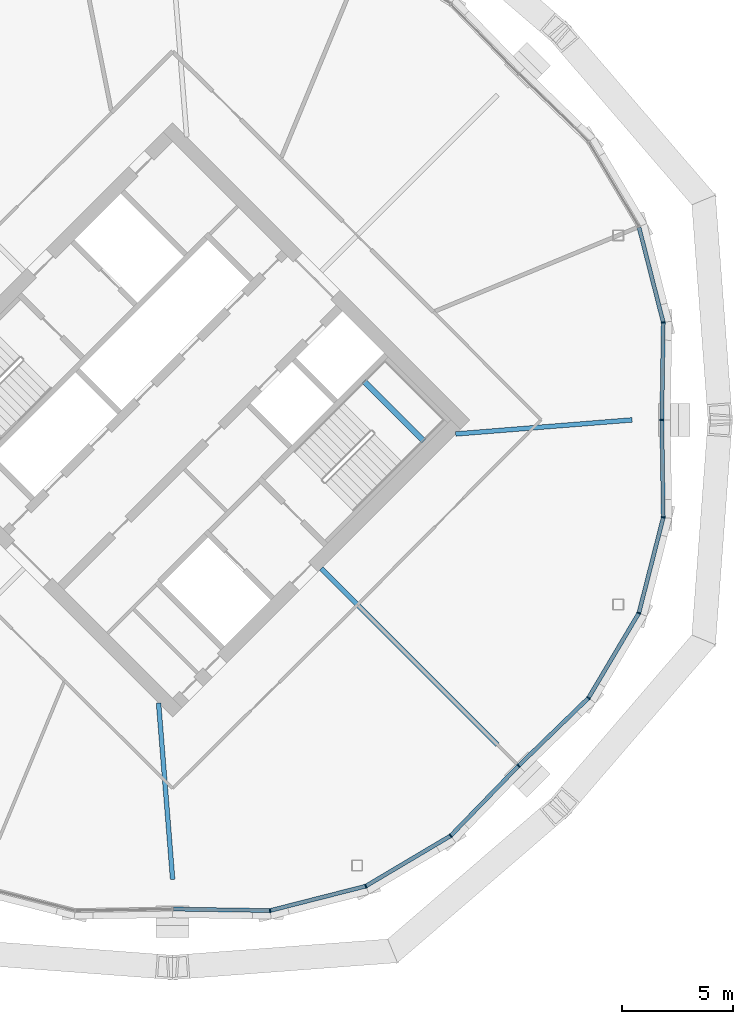
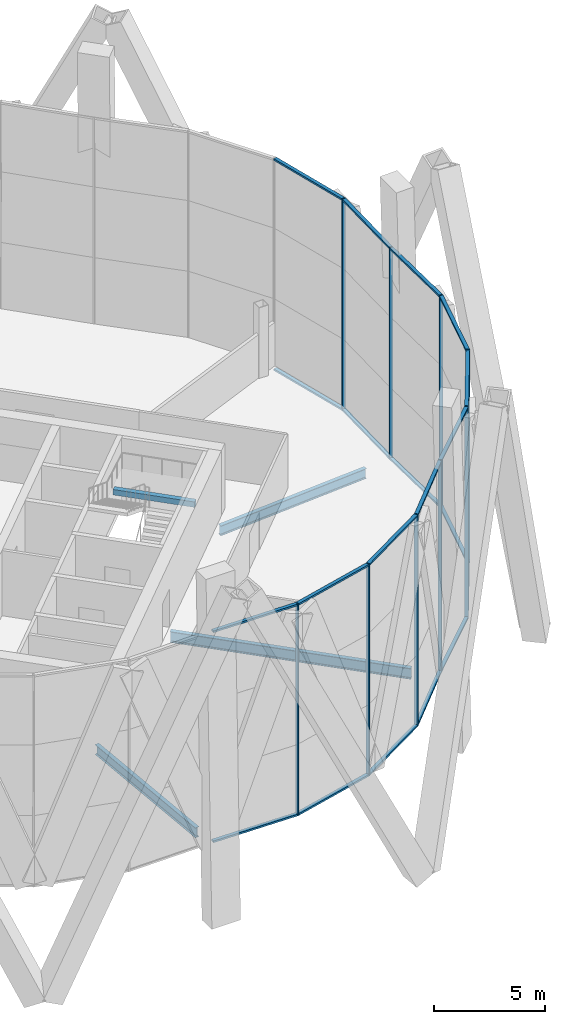
# One storey, part 9 of 23: 29 members, 4 beams, 3 elements without a shape of their own.
"""IFC4 building model written with IfcOpenShell, lengths in metres."""

from ifc_helpers import new_model, si_unit, direction, frame, origin, origin_2d, place, context, subcontext, project, spatial, rectangle, i_section, extrude, material, material_profile, profile_set, type_object, element, aggregate, save


model = new_model("IFC4")

# Units and contexts
model_context = context("Model", 3, precision=1e-05, world=origin(), true_north=direction((0.0, 1.0)))
body_context = subcontext(model_context, "Body", "Model", "MODEL_VIEW")
ifc_project = project(units=[si_unit("LENGTHUNIT", "METRE"), si_unit("AREAUNIT", "SQUARE_METRE"), si_unit("VOLUMEUNIT", "CUBIC_METRE"), si_unit("PLANEANGLEUNIT", "RADIAN"), si_unit("MASSUNIT", "GRAM", prefix="KILO")], contexts=[model_context])

# Site, building, storey
site_placement = place(None, origin())
site = spatial("IfcSite", under=ifc_project, at=site_placement, CompositionType="ELEMENT")
building_placement = place(site_placement, origin())
building = spatial("IfcBuilding", under=site, at=building_placement, Name="Ogive Gate Towers", CompositionType="ELEMENT")
storey_placement = place(building_placement, frame((0.0, 0.0, 165.60009765625)))
storey = spatial("IfcBuildingStorey", under=building, at=storey_placement, Name="L39", CompositionType="ELEMENT", Elevation=165.60009765625)

# Beams
ifc_material_1 = material(Name="Concrete C40/50", Category="concrete")
ifc_material_profile_1 = material_profile(ifc_material_1, rectangle(XDim=0.25, YDim=0.300048828125, at=origin_2d()), Name="RC 250x300")
ifc_profile_set_1 = profile_set([ifc_material_profile_1], Name="Concrete C40/50")
beam_type_1 = type_object("IfcBeamType", Name="Landing bearer RC 250x300", PredefinedType="BEAM", material=ifc_profile_set_1)
beam_1_placement = place(storey_placement, frame((47.349609375, -0.9541015625, 1.599853515625), z_axis=(-0.707106781187, 0.707106781187, 0.0), x_axis=(-0.707106781187, -0.707106781187, 0.0)))
element("IfcBeam", 1, at=beam_1_placement, inside=storey, type_object=beam_type_1, Name="T2 L39 stair 2 landing bearer 1", PredefinedType="BEAM", context=body_context, shape_type="SweptSolid", body=[
    extrude(rectangle(XDim=0.25, YDim=0.300048828125, at=origin_2d()), origin(), (0.0, 0.0, 1.0), 3.824951171875),
])
ifc_material_2 = material(Name="Steel SM355", Category="steel")
ifc_material_profile_2 = material_profile(ifc_material_2, i_section(OverallWidth=0.2099609375, OverallDepth=0.550048828125, WebThickness=0.010986328125, FlangeThickness=0.01708984375, FilletRadius=0.02392578125, at=origin_2d()), Name="IPE 550")
ifc_profile_set_2 = profile_set([ifc_material_profile_2], Name="Steel SM355")
beam_type_2 = type_object("IfcBeamType", Name="Radial floor beam IPE 550", PredefinedType="BEAM", material=ifc_profile_set_2)
for number, where, z_axis, x_axis, name in (
    (2, (35.363525390625, -12.798583984375, -0.5751953125), (0.079511264027, -0.996833967566, 0.0), (0.996833967566, 0.079511264027, 0.0), "T2/L39/SBM002"),
    (3, (48.798583984375, -0.636474609375, -0.5751953125), (0.996833967566, 0.079511264027, 0.0), (-0.079511264027, 0.996833967566, 0.0), "T2/L39/SBM004"),
):
    element("IfcBeam", number, at=place(storey_placement, frame(where, z_axis=z_axis, x_axis=x_axis)), inside=storey, type_object=beam_type_2, Name=name, PredefinedType="BEAM", context=body_context, shape_type="SweptSolid", body=[
        extrude(i_section(OverallWidth=0.2099609375, OverallDepth=0.550048828125, WebThickness=0.010986328125, FlangeThickness=0.01708984375, FilletRadius=0.02392578125, at=origin_2d()), origin(), (0.0, 0.0, 1.0), 8.0048828125),
    ])
ifc_material_profile_3 = material_profile(ifc_material_2, i_section(OverallWidth=0.219970703125, OverallDepth=0.60009765625, WebThickness=0.011962890625, FlangeThickness=0.01904296875, FilletRadius=0.02392578125, at=origin_2d()), Name="IPE 600")
ifc_profile_set_3 = profile_set([ifc_material_profile_3], Name="Steel SM355")
beam_type_3 = type_object("IfcBeamType", Name="Radial floor beam IPE 600", PredefinedType="BEAM", material=ifc_profile_set_3)
beam_2_placement = place(storey_placement, frame((42.717529296875, -6.717529296875, -0.60009765625), z_axis=(0.707106781187, -0.707106781187, 0.0), x_axis=(0.707106781187, 0.707106781187, 0.0)))
element("IfcBeam", 4, at=beam_2_placement, inside=storey, type_object=beam_type_3, Name="T2/L39/SBM003", PredefinedType="BEAM", context=body_context, shape_type="SweptSolid", body=[
    extrude(i_section(OverallWidth=0.219970703125, OverallDepth=0.60009765625, WebThickness=0.011962890625, FlangeThickness=0.01904296875, FilletRadius=0.02392578125, at=origin_2d()), origin(), (0.0, 0.0, 1.0), 11.278076171875),
])

# Curtain wall, members
ifc_material_3 = material(Name="Pale metal aluminium", Category="aluminium")
curtain_wall_type = type_object("IfcCurtainWallType", Name="Tower unitised wall, high zone", PredefinedType="NOTDEFINED", material=ifc_material_3)
curtain_wall_1_placement = place(storey_placement, origin())
curtain_wall_1 = element("IfcCurtainWall", 5, at=curtain_wall_1_placement, inside=storey, type_object=curtain_wall_type, Name="CW2 T2 ECW01", PredefinedType="NOTDEFINED")
ifc_material_profile_4 = material_profile(ifc_material_3, rectangle(XDim=0.179931640625, YDim=0.06005859375, at=origin_2d()), Name="60 x 180 aluminium box")
ifc_profile_set_4 = profile_set([ifc_material_profile_4], Name="Pale metal aluminium")
member_type_1 = type_object("IfcMemberType", Name="Tower unitised wall, high zone mullion 60 x 180", PredefinedType="MULLION", material=ifc_profile_set_4)
member_1_placement = place(storey_placement, frame((58.1201171875, 0.000244140625, -0.300048828125), z_axis=(0.0, 0.0, 1.0), x_axis=(0.99988339091, -0.015271037347, 0.0)))
member_1 = element("IfcMember", 6, at=member_1_placement, type_object=member_type_1, Name="CW2 mullion", PredefinedType="MULLION", context=body_context, shape_type="SweptSolid", body=[
    extrude(rectangle(XDim=0.179931640625, YDim=0.06005859375, at=origin_2d()), origin(), (0.0, 0.0, 1.0), 11.699951171875),
])
member_2_placement = place(storey_placement, frame((58.1875, 4.406005859375, -0.300048828125), z_axis=(0.0, 0.0, 1.0), x_axis=(0.993138030198, 0.116948078113, 0.0)))
member_2 = element("IfcMember", 7, at=member_2_placement, type_object=member_type_1, Name="CW2 mullion", PredefinedType="MULLION", context=body_context, shape_type="SweptSolid", body=[
    extrude(rectangle(XDim=0.179931640625, YDim=0.06005859375, at=origin_2d()), origin(), (0.0, 0.0, 1.0), 11.699951171875),
])

curtain_wall_2_placement = place(storey_placement, origin())
curtain_wall_2 = element("IfcCurtainWall", 8, at=curtain_wall_2_placement, inside=storey, type_object=curtain_wall_type, Name="CW2 T2 ECW07", PredefinedType="NOTDEFINED")
member_3_placement = place(storey_placement, frame((40.406005859375, -22.1875, -0.300048828125), z_axis=(0.0, 0.0, 1.0), x_axis=(0.116948078113, -0.993138030198, 0.0)))
member_3 = element("IfcMember", 9, at=member_3_placement, type_object=member_type_1, Name="CW2 mullion", PredefinedType="MULLION", context=body_context, shape_type="SweptSolid", body=[
    extrude(rectangle(XDim=0.179931640625, YDim=0.06005859375, at=origin_2d()), origin(), (0.0, 0.0, 1.0), 11.699951171875),
])
member_4_placement = place(storey_placement, frame((44.7333984375, -21.083984375, -0.300048828125), z_axis=(0.0, 0.0, 1.0), x_axis=(0.382683432365, -0.923879532511, 0.0)))
member_4 = element("IfcMember", 10, at=member_4_placement, type_object=member_type_1, Name="CW2 mullion", PredefinedType="MULLION", context=body_context, shape_type="SweptSolid", body=[
    extrude(rectangle(XDim=0.179931640625, YDim=0.06005859375, at=origin_2d()), origin(), (0.0, 0.0, 1.0), 11.699951171875),
])
member_5_placement = place(storey_placement, frame((48.5732421875, -18.804443359375, -0.300048828125), z_axis=(0.0, 0.0, 1.0), x_axis=(0.619559856727, -0.784949414887, 0.0)))
member_5 = element("IfcMember", 11, at=member_5_placement, type_object=member_type_1, Name="CW2 mullion", PredefinedType="MULLION", context=body_context, shape_type="SweptSolid", body=[
    extrude(rectangle(XDim=0.179931640625, YDim=0.06005859375, at=origin_2d()), origin(), (0.0, 0.0, 1.0), 11.699951171875),
])
member_6_placement = place(storey_placement, frame((51.64111328125, -15.641357421875, -0.300048828125), z_axis=(0.0, 0.0, 1.0), x_axis=(0.717810428625, -0.696238600306, 0.0)))
member_6 = element("IfcMember", 12, at=member_6_placement, type_object=member_type_1, Name="CW2 mullion", PredefinedType="MULLION", context=body_context, shape_type="SweptSolid", body=[
    extrude(rectangle(XDim=0.179931640625, YDim=0.06005859375, at=origin_2d()), origin(), (0.0, 0.0, 1.0), 11.699951171875),
])

curtain_wall_3_placement = place(storey_placement, origin())
curtain_wall_3 = element("IfcCurtainWall", 13, at=curtain_wall_3_placement, inside=storey, type_object=curtain_wall_type, Name="CW2 T2 ECW08", PredefinedType="NOTDEFINED")
member_7_placement = place(storey_placement, frame((54.804443359375, -12.5732421875, -0.300048828125), z_axis=(0.0, 0.0, 1.0), x_axis=(0.784949414887, -0.619559856727, 0.0)))
member_7 = element("IfcMember", 14, at=member_7_placement, type_object=member_type_1, Name="CW2 mullion", PredefinedType="MULLION", context=body_context, shape_type="SweptSolid", body=[
    extrude(rectangle(XDim=0.179931640625, YDim=0.06005859375, at=origin_2d()), origin(), (0.0, 0.0, 1.0), 11.699951171875),
])
member_8_placement = place(storey_placement, frame((57.083984375, -8.7333984375, -0.300048828125), z_axis=(0.0, 0.0, 1.0), x_axis=(0.923879532511, -0.382683432365, 0.0)))
member_8 = element("IfcMember", 15, at=member_8_placement, type_object=member_type_1, Name="CW2 mullion", PredefinedType="MULLION", context=body_context, shape_type="SweptSolid", body=[
    extrude(rectangle(XDim=0.179931640625, YDim=0.06005859375, at=origin_2d()), origin(), (0.0, 0.0, 1.0), 11.699951171875),
])
member_9_placement = place(storey_placement, frame((58.1875, -4.406005859375, -0.300048828125), z_axis=(0.0, 0.0, 1.0), x_axis=(0.993138030198, -0.116948078113, 0.0)))
member_9 = element("IfcMember", 16, at=member_9_placement, type_object=member_type_1, Name="CW2 mullion", PredefinedType="MULLION", context=body_context, shape_type="SweptSolid", body=[
    extrude(rectangle(XDim=0.179931640625, YDim=0.06005859375, at=origin_2d()), origin(), (0.0, 0.0, 1.0), 11.699951171875),
])

# Member
ifc_material_profile_5 = material_profile(ifc_material_3, rectangle(XDim=0.179931640625, YDim=0.10009765625, at=origin_2d()), Name="100 x 180 aluminium box")
ifc_profile_set_5 = profile_set([ifc_material_profile_5], Name="Pale metal aluminium")
member_type_2 = type_object("IfcMemberType", Name="Tower unitised wall, high zone transom 100 x 180", PredefinedType="USERDEFINED", material=ifc_profile_set_5)
member_10_placement = place(storey_placement, frame((58.12060546875, 0.030029296875, 11.349853515625), z_axis=(0.015216972107, 0.999884215177, 0.0), x_axis=(-0.999884215177, 0.015216972107, 0.0)))
member_10 = element("IfcMember", 17, at=member_10_placement, type_object=member_type_2, Name="CW2 transom", ObjectType="TRANSOM", PredefinedType="USERDEFINED", context=body_context, shape_type="SweptSolid", body=[
    extrude(rectangle(XDim=0.179931640625, YDim=0.10009765625, at=origin_2d()), origin(), (0.0, 0.0, 1.0), 4.347900390625),
])

member_11_placement = place(storey_placement, frame((58.12060546875, 0.030029296875, -0.25), z_axis=(0.015216972107, 0.999884215177, 0.0), x_axis=(-0.999884215177, 0.015216972107, 0.0)))
member_11 = element("IfcMember", 18, at=member_11_placement, type_object=member_type_2, Name="CW2 transom", ObjectType="TRANSOM", PredefinedType="USERDEFINED", context=body_context, shape_type="SweptSolid", body=[
    extrude(rectangle(XDim=0.179931640625, YDim=0.10009765625, at=origin_2d()), origin(), (0.0, 0.0, 1.0), 4.347900390625),
])

member_12_placement = place(storey_placement, frame((58.18017578125, 4.433837890625, 11.349853515625), z_axis=(-0.247106686967, 0.968988279215, 0.0), x_axis=(-0.968988279215, -0.247106686967, 0.0)))
member_12 = element("IfcMember", 19, at=member_12_placement, type_object=member_type_2, Name="CW2 transom", ObjectType="TRANSOM", PredefinedType="USERDEFINED", context=body_context, shape_type="SweptSolid", body=[
    extrude(rectangle(XDim=0.179931640625, YDim=0.10009765625, at=origin_2d()), origin(), (0.0, 0.0, 1.0), 4.408447265625),
])

member_13_placement = place(storey_placement, frame((58.18017578125, 4.433837890625, -0.25), z_axis=(-0.247106686967, 0.968988279215, 0.0), x_axis=(-0.968988279215, -0.247106686967, 0.0)))
member_13 = element("IfcMember", 20, at=member_13_placement, type_object=member_type_2, Name="CW2 transom", ObjectType="TRANSOM", PredefinedType="USERDEFINED", context=body_context, shape_type="SweptSolid", body=[
    extrude(rectangle(XDim=0.179931640625, YDim=0.10009765625, at=origin_2d()), origin(), (0.0, 0.0, 1.0), 4.408447265625),
])

aggregate(curtain_wall_1, [member_1, member_2, member_10, member_11, member_12, member_13])

member_14_placement = place(storey_placement, frame((36.030029296875, -22.12060546875, 11.349853515625), z_axis=(0.999884215177, -0.015216972107, 0.0), x_axis=(0.015216972107, 0.999884215177, 0.0)))
member_14 = element("IfcMember", 21, at=member_14_placement, type_object=member_type_2, Name="CW2 transom", ObjectType="TRANSOM", PredefinedType="USERDEFINED", context=body_context, shape_type="SweptSolid", body=[
    extrude(rectangle(XDim=0.179931640625, YDim=0.10009765625, at=origin_2d()), origin(), (0.0, 0.0, 1.0), 4.347900390625),
])

member_15_placement = place(storey_placement, frame((36.030029296875, -22.12060546875, -0.25), z_axis=(0.999884215177, -0.015216972107, 0.0), x_axis=(0.015216972107, 0.999884215177, 0.0)))
member_15 = element("IfcMember", 22, at=member_15_placement, type_object=member_type_2, Name="CW2 transom", ObjectType="TRANSOM", PredefinedType="USERDEFINED", context=body_context, shape_type="SweptSolid", body=[
    extrude(rectangle(XDim=0.179931640625, YDim=0.10009765625, at=origin_2d()), origin(), (0.0, 0.0, 1.0), 4.347900390625),
])

member_16_placement = place(storey_placement, frame((40.433837890625, -22.18017578125, 11.349853515625), z_axis=(0.968988279215, 0.247106686967, 0.0), x_axis=(-0.247106686967, 0.968988279215, 0.0)))
member_16 = element("IfcMember", 23, at=member_16_placement, type_object=member_type_2, Name="CW2 transom", ObjectType="TRANSOM", PredefinedType="USERDEFINED", context=body_context, shape_type="SweptSolid", body=[
    extrude(rectangle(XDim=0.179931640625, YDim=0.10009765625, at=origin_2d()), origin(), (0.0, 0.0, 1.0), 4.408447265625),
])

member_17_placement = place(storey_placement, frame((40.433837890625, -22.18017578125, -0.25), z_axis=(0.968988279215, 0.247106686967, 0.0), x_axis=(-0.247106686967, 0.968988279215, 0.0)))
member_17 = element("IfcMember", 24, at=member_17_placement, type_object=member_type_2, Name="CW2 transom", ObjectType="TRANSOM", PredefinedType="USERDEFINED", context=body_context, shape_type="SweptSolid", body=[
    extrude(rectangle(XDim=0.179931640625, YDim=0.10009765625, at=origin_2d()), origin(), (0.0, 0.0, 1.0), 4.408447265625),
])

member_18_placement = place(storey_placement, frame((44.7578125, -21.069091796875, 11.349853515625), z_axis=(0.859907161712, 0.5104504611, 0.0), x_axis=(-0.5104504611, 0.859907161712, 0.0)))
member_18 = element("IfcMember", 25, at=member_18_placement, type_object=member_type_2, Name="CW2 transom", ObjectType="TRANSOM", PredefinedType="USERDEFINED", context=body_context, shape_type="SweptSolid", body=[
    extrude(rectangle(XDim=0.179931640625, YDim=0.10009765625, at=origin_2d()), origin(), (0.0, 0.0, 1.0), 4.408447265625),
])

member_19_placement = place(storey_placement, frame((44.7578125, -21.069091796875, -0.25), z_axis=(0.859907161712, 0.5104504611, 0.0), x_axis=(-0.5104504611, 0.859907161712, 0.0)))
member_19 = element("IfcMember", 26, at=member_19_placement, type_object=member_type_2, Name="CW2 transom", ObjectType="TRANSOM", PredefinedType="USERDEFINED", context=body_context, shape_type="SweptSolid", body=[
    extrude(rectangle(XDim=0.179931640625, YDim=0.10009765625, at=origin_2d()), origin(), (0.0, 0.0, 1.0), 4.408447265625),
])

member_20_placement = place(storey_placement, frame((48.59326171875, -18.78369140625, 11.349853515625), z_axis=(0.696214239877, 0.717834056166, 0.0), x_axis=(-0.717834056166, 0.696214239877, 0.0)))
member_20 = element("IfcMember", 27, at=member_20_placement, type_object=member_type_2, Name="CW2 transom", ObjectType="TRANSOM", PredefinedType="USERDEFINED", context=body_context, shape_type="SweptSolid", body=[
    extrude(rectangle(XDim=0.179931640625, YDim=0.10009765625, at=origin_2d()), origin(), (0.0, 0.0, 1.0), 4.34765625),
])

member_21_placement = place(storey_placement, frame((48.59326171875, -18.78369140625, -0.25), z_axis=(0.696214239877, 0.717834056166, 0.0), x_axis=(-0.717834056166, 0.696214239877, 0.0)))
member_21 = element("IfcMember", 28, at=member_21_placement, type_object=member_type_2, Name="CW2 transom", ObjectType="TRANSOM", PredefinedType="USERDEFINED", context=body_context, shape_type="SweptSolid", body=[
    extrude(rectangle(XDim=0.179931640625, YDim=0.10009765625, at=origin_2d()), origin(), (0.0, 0.0, 1.0), 4.34765625),
])

aggregate(curtain_wall_2, [member_3, member_14, member_15, member_4, member_16, member_17, member_5, member_18, member_19, member_6, member_20, member_21])

member_22_placement = place(storey_placement, frame((51.662841796875, -15.6201171875, 11.349853515625), z_axis=(0.717834056166, 0.696214239877, 0.0), x_axis=(-0.696214239877, 0.717834056166, 0.0)))
member_22 = element("IfcMember", 29, at=member_22_placement, type_object=member_type_2, Name="CW2 transom", ObjectType="TRANSOM", PredefinedType="USERDEFINED", context=body_context, shape_type="SweptSolid", body=[
    extrude(rectangle(XDim=0.179931640625, YDim=0.10009765625, at=origin_2d()), origin(), (0.0, 0.0, 1.0), 4.34765625),
])

member_23_placement = place(storey_placement, frame((51.662841796875, -15.6201171875, -0.25), z_axis=(0.717834056166, 0.696214239877, 0.0), x_axis=(-0.696214239877, 0.717834056166, 0.0)))
member_23 = element("IfcMember", 30, at=member_23_placement, type_object=member_type_2, Name="CW2 transom", ObjectType="TRANSOM", PredefinedType="USERDEFINED", context=body_context, shape_type="SweptSolid", body=[
    extrude(rectangle(XDim=0.179931640625, YDim=0.10009765625, at=origin_2d()), origin(), (0.0, 0.0, 1.0), 4.34765625),
])

member_24_placement = place(storey_placement, frame((54.81884765625, -12.548583984375, 11.349853515625), z_axis=(0.5104504611, 0.859907161712, 0.0), x_axis=(-0.859907161712, 0.5104504611, 0.0)))
member_24 = element("IfcMember", 31, at=member_24_placement, type_object=member_type_2, Name="CW2 transom", ObjectType="TRANSOM", PredefinedType="USERDEFINED", context=body_context, shape_type="SweptSolid", body=[
    extrude(rectangle(XDim=0.179931640625, YDim=0.10009765625, at=origin_2d()), origin(), (0.0, 0.0, 1.0), 4.408447265625),
])

member_25_placement = place(storey_placement, frame((54.81884765625, -12.548583984375, -0.25), z_axis=(0.5104504611, 0.859907161712, 0.0), x_axis=(-0.859907161712, 0.5104504611, 0.0)))
member_25 = element("IfcMember", 32, at=member_25_placement, type_object=member_type_2, Name="CW2 transom", ObjectType="TRANSOM", PredefinedType="USERDEFINED", context=body_context, shape_type="SweptSolid", body=[
    extrude(rectangle(XDim=0.179931640625, YDim=0.10009765625, at=origin_2d()), origin(), (0.0, 0.0, 1.0), 4.408447265625),
])

member_26_placement = place(storey_placement, frame((57.0908203125, -8.70556640625, 11.349853515625), z_axis=(0.247106686967, 0.968988279215, 0.0), x_axis=(-0.968988279215, 0.247106686967, 0.0)))
member_26 = element("IfcMember", 33, at=member_26_placement, type_object=member_type_2, Name="CW2 transom", ObjectType="TRANSOM", PredefinedType="USERDEFINED", context=body_context, shape_type="SweptSolid", body=[
    extrude(rectangle(XDim=0.179931640625, YDim=0.10009765625, at=origin_2d()), origin(), (0.0, 0.0, 1.0), 4.408447265625),
])

member_27_placement = place(storey_placement, frame((57.0908203125, -8.70556640625, -0.25), z_axis=(0.247106686967, 0.968988279215, 0.0), x_axis=(-0.968988279215, 0.247106686967, 0.0)))
member_27 = element("IfcMember", 34, at=member_27_placement, type_object=member_type_2, Name="CW2 transom", ObjectType="TRANSOM", PredefinedType="USERDEFINED", context=body_context, shape_type="SweptSolid", body=[
    extrude(rectangle(XDim=0.179931640625, YDim=0.10009765625, at=origin_2d()), origin(), (0.0, 0.0, 1.0), 4.408447265625),
])

member_28_placement = place(storey_placement, frame((58.186767578125, -4.37744140625, 11.349853515625), z_axis=(-0.015216972107, 0.999884215177, 0.0), x_axis=(-0.999884215177, -0.015216972107, 0.0)))
member_28 = element("IfcMember", 35, at=member_28_placement, type_object=member_type_2, Name="CW2 transom", ObjectType="TRANSOM", PredefinedType="USERDEFINED", context=body_context, shape_type="SweptSolid", body=[
    extrude(rectangle(XDim=0.179931640625, YDim=0.10009765625, at=origin_2d()), origin(), (0.0, 0.0, 1.0), 4.347900390625),
])

member_29_placement = place(storey_placement, frame((58.186767578125, -4.37744140625, -0.25), z_axis=(-0.015216972107, 0.999884215177, 0.0), x_axis=(-0.999884215177, -0.015216972107, 0.0)))
member_29 = element("IfcMember", 36, at=member_29_placement, type_object=member_type_2, Name="CW2 transom", ObjectType="TRANSOM", PredefinedType="USERDEFINED", context=body_context, shape_type="SweptSolid", body=[
    extrude(rectangle(XDim=0.179931640625, YDim=0.10009765625, at=origin_2d()), origin(), (0.0, 0.0, 1.0), 4.347900390625),
])

aggregate(curtain_wall_3, [member_7, member_22, member_23, member_8, member_24, member_25, member_9, member_26, member_27, member_28, member_29])

save(model, "model.ifc")
